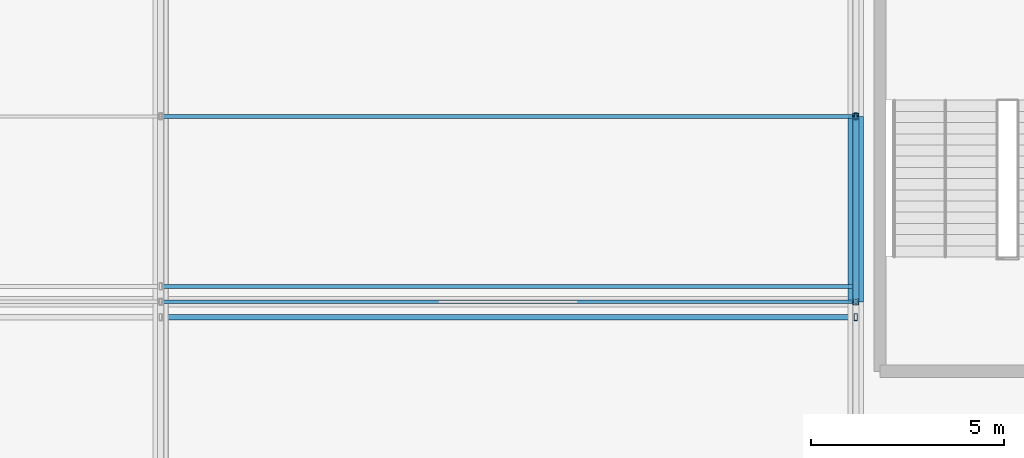
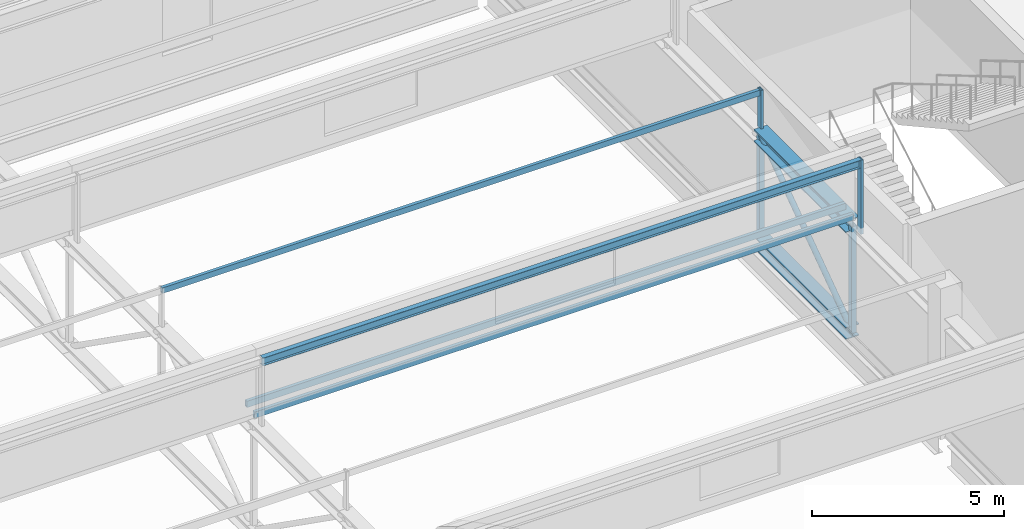
# One storey, part 70 of 136: 9 members, 2 beams.
"""IFC4 building model written with IfcOpenShell, lengths in metres."""

from ifc_helpers import new_model, si_unit, direction, frame, origin, origin_2d, place, context, subcontext, project, spatial, hollow_rectangle, hollow_circle, i_section, extrude, material, material_profile, profile_set, type_object, element, save


model = new_model("IFC4")

# Units and contexts
model_context = context("Model", 3, precision=1e-05, world=origin(), true_north=direction((0.0, 1.0)))
body_context = subcontext(model_context, "Body", "Model", "MODEL_VIEW")
ifc_project = project(units=[si_unit("LENGTHUNIT", "METRE"), si_unit("AREAUNIT", "SQUARE_METRE"), si_unit("VOLUMEUNIT", "CUBIC_METRE"), si_unit("PLANEANGLEUNIT", "RADIAN"), si_unit("MASSUNIT", "GRAM", prefix="KILO")], contexts=[model_context])

# Site, building, storey
site_placement = place(None, origin())
site = spatial("IfcSite", under=ifc_project, at=site_placement, CompositionType="ELEMENT")
building_placement = place(site_placement, origin())
building = spatial("IfcBuilding", under=site, at=building_placement, Name="Kisiwana Market Hall", CompositionType="ELEMENT")
storey_placement = place(building_placement, frame((0.0, 0.0, 16.800048828125)))
storey = spatial("IfcBuildingStorey", under=building, at=storey_placement, Name="L03", CompositionType="ELEMENT", Elevation=16.800048828125)

# Beams
ifc_material_1 = material(Name="Steel S355", Category="steel")
ifc_material_profile_1 = material_profile(ifc_material_1, i_section(OverallWidth=0.394775390625, OverallDepth=0.381103515625, WebThickness=0.018310546875, FlangeThickness=0.0302734375, at=origin_2d()), Name="UC 356x406x235")
ifc_profile_set_1 = profile_set([ifc_material_profile_1], Name="Steel S355")
beam_type_1 = type_object("IfcBeamType", Name="BM-TRUSS-BOT", PredefinedType="USERDEFINED", material=ifc_profile_set_1)
beam_1_placement = place(storey_placement, frame((153.0, 64.800048828125, 0.22998046875), z_axis=(0.0, 1.0, 0.0), x_axis=(-1.0, 0.0, 0.0)))
element("IfcBeam", 1, at=beam_1_placement, inside=storey, type_object=beam_type_1, Name="TR-08 BC panel 7 B-1324", ObjectType="ROOF TRUSS", PredefinedType="USERDEFINED", context=body_context, shape_type="SweptSolid", body=[
    extrude(i_section(OverallWidth=0.394775390625, OverallDepth=0.381103515625, WebThickness=0.018310546875, FlangeThickness=0.0302734375, at=origin_2d()), origin(), (0.0, 0.0, 1.0), 4.800048828125),
])
ifc_material_2 = material(Name="Steel S355", Category="steel")
ifc_material_profile_2 = material_profile(ifc_material_2, i_section(OverallWidth=0.39892578125, OverallDepth=0.3935546875, WebThickness=0.022705078125, FlangeThickness=0.03662109375, at=origin_2d()), Name="UC 356x406x287")
ifc_profile_set_2 = profile_set([ifc_material_profile_2], Name="Steel S355")
beam_type_2 = type_object("IfcBeamType", Name="BM-TRUSS-TOP", PredefinedType="USERDEFINED", material=ifc_profile_set_2)
beam_2_placement = place(storey_placement, frame((153.0, 64.800048828125, 3.619873046875), z_axis=(0.0, 1.0, 0.0), x_axis=(-1.0, 0.0, 0.0)))
element("IfcBeam", 2, at=beam_2_placement, inside=storey, type_object=beam_type_2, Name="TR-08 TC panel 7 B-1334", ObjectType="ROOF TRUSS", PredefinedType="USERDEFINED", context=body_context, shape_type="SweptSolid", body=[
    extrude(i_section(OverallWidth=0.39892578125, OverallDepth=0.3935546875, WebThickness=0.022705078125, FlangeThickness=0.03662109375, at=origin_2d()), origin(), (0.0, 0.0, 1.0), 4.800048828125),
])

# Members
ifc_material_3 = material(Name="Steel S355", Category="steel")
ifc_material_profile_3 = material_profile(ifc_material_3, hollow_rectangle(XDim=0.080078125, YDim=0.179931640625, WallThickness=0.00634765625, at=origin_2d()), Name="RHS 180x80x6.3")
ifc_profile_set_3 = profile_set([ifc_material_profile_3], Name="Steel S355")
member_type_1 = type_object("IfcMemberType", Name="MB-CAN-STRUT", PredefinedType="STRUT", material=ifc_profile_set_3)
member_1_placement = place(storey_placement, frame((153.0, 64.39990234375, 3.619873046875), z_axis=(0.0, 0.0, 1.0), x_axis=(1.0, 0.0, 0.0)))
element("IfcMember", 3, at=member_1_placement, inside=storey, type_object=member_type_1, Name="Sawtooth raker post 265 M-0294", PredefinedType="STRUT", context=body_context, shape_type="SweptSolid", body=[
    extrude(hollow_rectangle(XDim=0.080078125, YDim=0.179931640625, WallThickness=0.00634765625, at=origin_2d()), origin(), (0.0, 0.0, 1.0), 2.355712890625),
])
member_2_placement = place(storey_placement, frame((153.0, 69.60009765625, 3.619873046875), z_axis=(0.0, 0.0, 1.0), x_axis=(1.0, 0.0, 0.0)))
element("IfcMember", 4, at=member_2_placement, inside=storey, type_object=member_type_1, Name="Sawtooth mid-slope raker post 51 M-0082", PredefinedType="STRUT", context=body_context, shape_type="SweptSolid", body=[
    extrude(hollow_rectangle(XDim=0.080078125, YDim=0.179931640625, WallThickness=0.00634765625, at=origin_2d()), origin(), (0.0, 0.0, 1.0), 1.42041015625),
])
ifc_material_4 = material(Name="Steel S355", Category="steel")
ifc_material_profile_4 = material_profile(ifc_material_4, hollow_rectangle(XDim=0.10009765625, YDim=0.179931640625, WallThickness=0.008056640625, at=origin_2d()), Name="RHS 180x100x8")
ifc_profile_set_4 = profile_set([ifc_material_profile_4], Name="Steel S355")
member_type_2 = type_object("IfcMemberType", Name="MB-PURL-RHS180", PredefinedType="PURLIN", material=ifc_profile_set_4)
member_3_placement = place(storey_placement, frame((135.0, 69.60009765625, 4.9462890625), z_axis=(1.0, 0.0, 0.0), x_axis=(0.0, 1.0, 0.0)))
element("IfcMember", 5, at=member_3_placement, inside=storey, type_object=member_type_2, Name="Sawtooth mid-slope roof purlin 58 M-0118", PredefinedType="PURLIN", context=body_context, shape_type="SweptSolid", body=[
    extrude(hollow_rectangle(XDim=0.10009765625, YDim=0.179931640625, WallThickness=0.008056640625, at=origin_2d()), origin(), (0.0, 0.0, 1.0), 18.0),
])
ifc_material_5 = material(Name="Steel S355", Category="steel")
ifc_material_profile_5 = material_profile(ifc_material_5, hollow_rectangle(XDim=0.10009765625, YDim=0.199951171875, WallThickness=0.008056640625, at=origin_2d()), Name="RHS 200x100x8.0")
ifc_profile_set_5 = profile_set([ifc_material_profile_5], Name="Steel S355")
member_type_3 = type_object("IfcMemberType", Name="MB-ROOF-PURLIN1", PredefinedType="PURLIN", material=ifc_profile_set_5)
for number, where, z_axis, x_axis, name in (
    (6, (135.0, 64.800048828125, 3.90087890625), (1.0, 0.0, 0.0), (0.0, 1.0, 0.0), "Sawtooth roof purlin 287 M-0188"),
    (7, (135.0, 65.199951171875, 4.0009765625), (1.0, 0.0, 0.0), (0.0, 1.0, 0.0), "Sawtooth roof purlin 330 M-0207"),
):
    element("IfcMember", number, at=place(storey_placement, frame(where, z_axis=z_axis, x_axis=x_axis)), inside=storey, type_object=member_type_3, Name=name, PredefinedType="PURLIN", context=body_context, shape_type="SweptSolid", body=[
        extrude(hollow_rectangle(XDim=0.10009765625, YDim=0.199951171875, WallThickness=0.008056640625, at=origin_2d()), origin(), (0.0, 0.0, 1.0), 18.0),
    ])
ifc_material_6 = material(Name="Steel S355", Category="steel")
ifc_material_profile_6 = material_profile(ifc_material_6, i_section(OverallWidth=0.146484375, OverallDepth=0.256103515625, WebThickness=0.00634765625, FlangeThickness=0.010986328125, at=origin_2d()), Name="UB 254x146x37")
ifc_profile_set_6 = profile_set([ifc_material_profile_6], Name="Steel S355")
member_type_4 = type_object("IfcMemberType", Name="MB-ROOF-PURLIN2", PredefinedType="PURLIN", material=ifc_profile_set_6)
member_4_placement = place(storey_placement, frame((135.0, 64.39990234375, 5.843505859375), z_axis=(1.0, 0.0, 0.0), x_axis=(0.0, 1.0, 0.0)))
element("IfcMember", 8, at=member_4_placement, inside=storey, type_object=member_type_4, Name="Sawtooth roof purlin 286 M-0187", PredefinedType="PURLIN", context=body_context, shape_type="SweptSolid", body=[
    extrude(i_section(OverallWidth=0.146484375, OverallDepth=0.256103515625, WebThickness=0.00634765625, FlangeThickness=0.010986328125, at=origin_2d()), origin(), (0.0, 0.0, 1.0), 18.0),
])
ifc_material_7 = material(Name="Steel S355", Category="steel")
ifc_material_profile_7 = material_profile(ifc_material_7, hollow_circle(Radius=0.084228515625, WallThickness=0.010009765625, at=origin_2d()), Name="CHS 168.3x10.0")
ifc_profile_set_7 = profile_set([ifc_material_profile_7], Name="Steel S355")
member_type_5 = type_object("IfcMemberType", Name="MB-TR-DIAG168", PredefinedType="BRACE", material=ifc_profile_set_7)
member_5_placement = place(storey_placement, frame((153.0, 64.800048828125, 0.22998046875), z_axis=(0.0, 0.816837735077, 0.576867501732), x_axis=(-1.0, 0.0, 0.0)))
element("IfcMember", 9, at=member_5_placement, inside=storey, type_object=member_type_5, Name="TR-08 diagonal 7 M-0475", PredefinedType="BRACE", context=body_context, shape_type="SweptSolid", body=[
    extrude(hollow_circle(Radius=0.084228515625, WallThickness=0.010009765625, at=origin_2d()), origin(), (0.0, 0.0, 1.0), 5.87646484375),
])
ifc_material_8 = material(Name="Steel S355", Category="steel")
ifc_material_profile_8 = material_profile(ifc_material_8, hollow_rectangle(XDim=0.14990234375, YDim=0.14990234375, WallThickness=0.008056640625, at=origin_2d()), Name="SHS 150x150x8.0")
ifc_profile_set_8 = profile_set([ifc_material_profile_8], Name="Steel S355")
member_type_6 = type_object("IfcMemberType", Name="MB-TR-STRUT200", PredefinedType="STRUT", material=ifc_profile_set_8)
for number, where, z_axis, x_axis, name in (
    (10, (153.0, 64.800048828125, 0.22998046875), (0.0, 0.0, 1.0), (1.0, 0.0, 0.0), "TR-08 vertical strut 7 M-0483"),
    (11, (153.0, 69.60009765625, 0.22998046875), (0.0, 0.0, 1.0), (1.0, 0.0, 0.0), "TR-08 vertical strut 8 M-0484"),
):
    element("IfcMember", number, at=place(storey_placement, frame(where, z_axis=z_axis, x_axis=x_axis)), inside=storey, type_object=member_type_6, Name=name, PredefinedType="STRUT", context=body_context, shape_type="SweptSolid", body=[
        extrude(hollow_rectangle(XDim=0.14990234375, YDim=0.14990234375, WallThickness=0.008056640625, at=origin_2d()), origin(), (0.0, 0.0, 1.0), 3.389892578125),
    ])

save(model, "model.ifc")
